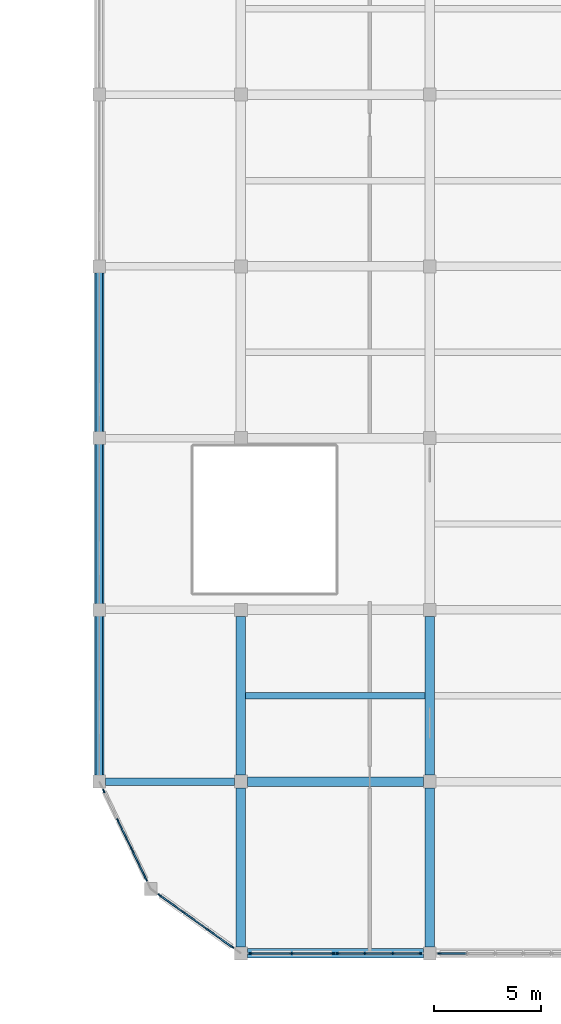
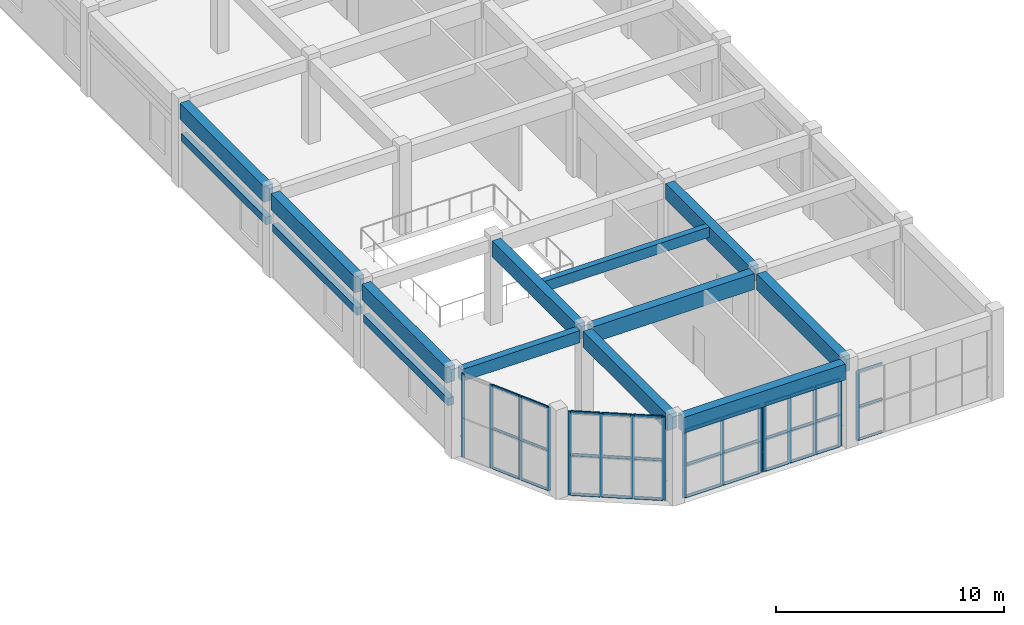
# One storey, part 21 of 64: 49 members, 14 beams, 5 elements without a shape of their own.
"""IFC4 building model written with IfcOpenShell, lengths in metres."""

from ifc_helpers import new_model, si_unit, direction, frame, origin, origin_2d, place, context, subcontext, project, spatial, rectangle, extrude, material, layer, layer_set, material_profile, profile_set, type_object, element, aggregate, save


model = new_model("IFC4")

# Units and contexts
model_context = context("Model", 3, precision=1e-05, world=origin(), true_north=direction((0.0, 1.0)))
body_context = subcontext(model_context, "Body", "Model", "MODEL_VIEW")
ifc_project = project(units=[si_unit("LENGTHUNIT", "METRE"), si_unit("AREAUNIT", "SQUARE_METRE"), si_unit("VOLUMEUNIT", "CUBIC_METRE"), si_unit("PLANEANGLEUNIT", "RADIAN"), si_unit("MASSUNIT", "GRAM", prefix="KILO")], contexts=[model_context])

# Site, building, storey
site_placement = place(None, origin())
site = spatial("IfcSite", under=ifc_project, at=site_placement, CompositionType="ELEMENT")
building_placement = place(site_placement, origin())
building = spatial("IfcBuilding", under=site, at=building_placement, Name="Cinchona Park Media Centre", CompositionType="ELEMENT")
storey_placement = place(building_placement, frame((0.0, 0.0, 5.39990234375)))
storey = spatial("IfcBuildingStorey", under=building, at=storey_placement, Name="L01", CompositionType="ELEMENT", Elevation=5.39990234375)

# Beams
ifc_material_1 = material(Name="Concrete C35/45", Category="concrete")
ifc_material_profile_1 = material_profile(ifc_material_1, rectangle(XDim=0.449951171875, YDim=0.85009765625, at=origin_2d()), Name="RB 450X850")
ifc_profile_set_1 = profile_set([ifc_material_profile_1], Name="Concrete C35/45")
beam_type_1 = type_object("IfcBeamType", Name="BEAM-B02-RB450X850", PredefinedType="BEAM", material=ifc_profile_set_1)
for number, where, z_axis, x_axis, name in (
    (1, (156.10009765625, 7.60009765625, 4.09521484375), (1.0, 0.0, 0.0), (0.0, 1.0, 0.0), "Beam B02 L01"),
    (2, (156.10009765625, 15.60009765625, 4.09521484375), (1.0, 0.0, 0.0), (0.0, 1.0, 0.0), "Beam B02 L01"),
):
    element("IfcBeam", number, at=place(storey_placement, frame(where, z_axis=z_axis, x_axis=x_axis)), inside=storey, type_object=beam_type_1, Name=name, PredefinedType="BEAM", context=body_context, shape_type="SweptSolid", body=[
        extrude(rectangle(XDim=0.449951171875, YDim=0.85009765625, at=origin_2d()), origin(), (0.0, 0.0, 1.0), 8.199951171875),
    ])
for number, where, z_axis, x_axis, name in (
    (3, (149.199951171875, 15.89990234375, 4.09521484375), (0.0, 1.0, 0.0), (-1.0, 0.0, 0.0), "Girder B02 L01"),
    (4, (149.199951171875, 23.89990234375, 4.09521484375), (0.0, 1.0, 0.0), (-1.0, 0.0, 0.0), "Girder B02 L01"),
    (5, (149.199951171875, 31.89990234375, 4.09521484375), (0.0, 1.0, 0.0), (-1.0, 0.0, 0.0), "Girder B02 L01"),
    (6, (155.800048828125, 7.89990234375, 4.09521484375), (0.0, 1.0, 0.0), (-1.0, 0.0, 0.0), "Girder B02 L01"),
    (7, (155.800048828125, 15.89990234375, 4.09521484375), (0.0, 1.0, 0.0), (-1.0, 0.0, 0.0), "Girder B02 L01"),
    (8, (164.60009765625, 7.89990234375, 4.09521484375), (0.0, 1.0, 0.0), (-1.0, 0.0, 0.0), "Girder B02 L01"),
    (9, (164.60009765625, 15.89990234375, 4.09521484375), (0.0, 1.0, 0.0), (-1.0, 0.0, 0.0), "Girder B02 L01"),
):
    element("IfcBeam", number, at=place(storey_placement, frame(where, z_axis=z_axis, x_axis=x_axis)), inside=storey, type_object=beam_type_1, Name=name, PredefinedType="BEAM", context=body_context, shape_type="SweptSolid", body=[
        extrude(rectangle(XDim=0.449951171875, YDim=0.85009765625, at=origin_2d()), origin(), (0.0, 0.0, 1.0), 7.400146484375),
    ])
ifc_material_2 = material(Name="Concrete C35/45", Category="concrete")
ifc_material_profile_2 = material_profile(ifc_material_2, rectangle(XDim=0.35009765625, YDim=0.64990234375, at=origin_2d()), Name="RB 350X650")
ifc_profile_set_2 = profile_set([ifc_material_profile_2], Name="Concrete C35/45")
beam_type_2 = type_object("IfcBeamType", Name="BEAM-B04-RB350X650", PredefinedType="BEAM", material=ifc_profile_set_2)
beam_1_placement = place(storey_placement, frame((149.5, 15.60009765625, 4.195068359375), z_axis=(1.0, 0.0, 0.0), x_axis=(0.0, 1.0, 0.0)))
element("IfcBeam", 10, at=beam_1_placement, inside=storey, type_object=beam_type_2, Name="Beam B04 L01", PredefinedType="BEAM", context=body_context, shape_type="SweptSolid", body=[
    extrude(rectangle(XDim=0.35009765625, YDim=0.64990234375, at=origin_2d()), origin(), (0.0, 0.0, 1.0), 6.0),
])
ifc_material_3 = material(Name="Concrete C35/45", Category="concrete")
ifc_material_profile_3 = material_profile(ifc_material_3, rectangle(XDim=0.300048828125, YDim=0.550048828125, at=origin_2d()), Name="RB 300X550")
ifc_profile_set_3 = profile_set([ifc_material_profile_3], Name="Concrete C35/45")
beam_type_3 = type_object("IfcBeamType", Name="BEAM-J01-RB300X550", PredefinedType="JOIST", material=ifc_profile_set_3)
beam_2_placement = place(storey_placement, frame((156.02490234375, 19.60009765625, 4.2451171875), z_axis=(1.0, 0.0, 0.0), x_axis=(0.0, 1.0, 0.0)))
element("IfcBeam", 11, at=beam_2_placement, inside=storey, type_object=beam_type_3, Name="Floor Joist J01 L01", PredefinedType="JOIST", context=body_context, shape_type="SweptSolid", body=[
    extrude(rectangle(XDim=0.300048828125, YDim=0.550048828125, at=origin_2d()), origin(), (0.0, 0.0, 1.0), 8.35009765625),
])
ifc_material_4 = material(Name="Concrete C35/45", Category="concrete")
ifc_material_profile_4 = material_profile(ifc_material_4, rectangle(XDim=0.300048828125, YDim=0.39990234375, at=origin_2d()), Name="RL 300X400")
ifc_profile_set_4 = profile_set([ifc_material_profile_4], Name="Concrete C35/45")
beam_type_4 = type_object("IfcBeamType", Name="BEAM-LN02-RL300X400", PredefinedType="LINTEL", material=ifc_profile_set_4)
for number, where, z_axis, x_axis, name in (
    (12, (149.199951171875, 15.8798828125, 2.650146484375), (0.0, 1.0, 0.0), (-1.0, 0.0, 0.0), "Window Lintel LN02"),
    (13, (149.199951171875, 23.8798828125, 2.650146484375), (0.0, 1.0, 0.0), (-1.0, 0.0, 0.0), "Window Lintel LN02"),
    (14, (149.199951171875, 31.8798828125, 2.650146484375), (0.0, 1.0, 0.0), (-1.0, 0.0, 0.0), "Window Lintel LN02"),
):
    element("IfcBeam", number, at=place(storey_placement, frame(where, z_axis=z_axis, x_axis=x_axis)), inside=storey, type_object=beam_type_4, Name=name, PredefinedType="LINTEL", context=body_context, shape_type="SweptSolid", body=[
        extrude(rectangle(XDim=0.300048828125, YDim=0.39990234375, at=origin_2d()), origin(), (0.0, 0.0, 1.0), 7.440185546875),
    ])

# Curtain wall, members
ifc_material_5 = material(Name="Aluminium Curtain Wall Framing", Category="aluminium")
ifc_layer_1 = layer(ifc_material_5, 0.27001953125)
ifc_layer_set_1 = layer_set([ifc_layer_1], Name="Aluminium Curtain Wall Framing")
curtain_wall_type_1 = type_object("IfcCurtainWallType", Name="CW-CW07", PredefinedType="USERDEFINED", material=ifc_layer_set_1)
curtain_wall_1_placement = place(storey_placement, origin())
curtain_wall_1 = element("IfcCurtainWall", 15, at=curtain_wall_1_placement, inside=storey, type_object=curtain_wall_type_1, Name="Curtain Wall CW07 L01", ObjectType="UNITISED CURTAIN WALL", PredefinedType="USERDEFINED")
ifc_material_6 = material(Name="Anodised Aluminium Alloy 6063-T6", Category="aluminium")
ifc_material_profile_5 = material_profile(ifc_material_6, rectangle(XDim=0.06494140625, YDim=0.159912109375, at=origin_2d()), Name="MUL-65X160")
ifc_profile_set_5 = profile_set([ifc_material_profile_5], Name="Anodised Aluminium Alloy 6063-T6")
member_type_1 = type_object("IfcMemberType", Name="MULLION-MUL01", PredefinedType="MULLION", material=ifc_profile_set_5)
member_1_placement = place(storey_placement, frame((151.386962890625, 11.044189453125, 0.050048828125), z_axis=(0.0, 0.0, 1.0), x_axis=(-0.901489319825, -0.432801347319, 0.0)))
member_1 = element("IfcMember", 16, at=member_1_placement, type_object=member_type_1, Name="CW07 mullion 1", PredefinedType="MULLION", context=body_context, shape_type="SweptSolid", body=[
    extrude(rectangle(XDim=0.06494140625, YDim=0.159912109375, at=origin_2d()), origin(), (0.0, 0.0, 1.0), 4.469970703125),
])
member_2_placement = place(storey_placement, frame((150.733642578125, 12.405029296875, 0.050048828125), z_axis=(0.0, 0.0, 1.0), x_axis=(-0.901489319825, -0.432801347319, 0.0)))
member_2 = element("IfcMember", 17, at=member_2_placement, type_object=member_type_1, Name="CW07 mullion 2", PredefinedType="MULLION", context=body_context, shape_type="SweptSolid", body=[
    extrude(rectangle(XDim=0.06494140625, YDim=0.159912109375, at=origin_2d()), origin(), (0.0, 0.0, 1.0), 4.469970703125),
])
member_3_placement = place(storey_placement, frame((150.06640625, 13.794921875, 0.050048828125), z_axis=(0.0, 0.0, 1.0), x_axis=(-0.901489319825, -0.432801347319, 0.0)))
member_3 = element("IfcMember", 18, at=member_3_placement, type_object=member_type_1, Name="CW07 mullion 3", PredefinedType="MULLION", context=body_context, shape_type="SweptSolid", body=[
    extrude(rectangle(XDim=0.06494140625, YDim=0.159912109375, at=origin_2d()), origin(), (0.0, 0.0, 1.0), 4.469970703125),
])
member_4_placement = place(storey_placement, frame((149.4130859375, 15.15576171875, 0.050048828125), z_axis=(0.0, 0.0, 1.0), x_axis=(-0.901489319825, -0.432801347319, 0.0)))
member_4 = element("IfcMember", 19, at=member_4_placement, type_object=member_type_1, Name="CW07 mullion 4", PredefinedType="MULLION", context=body_context, shape_type="SweptSolid", body=[
    extrude(rectangle(XDim=0.06494140625, YDim=0.159912109375, at=origin_2d()), origin(), (0.0, 0.0, 1.0), 4.469970703125),
])

# Curtain wall, member
ifc_material_7 = material(Name="Aluminium Curtain Wall Framing", Category="aluminium")
ifc_layer_2 = layer(ifc_material_7, 0.179931640625)
ifc_layer_set_2 = layer_set([ifc_layer_2], Name="Aluminium Curtain Wall Framing")
curtain_wall_type_2 = type_object("IfcCurtainWallType", Name="CW-CW01", PredefinedType="USERDEFINED", material=ifc_layer_set_2)
curtain_wall_2_placement = place(storey_placement, origin())
curtain_wall_2 = element("IfcCurtainWall", 20, at=curtain_wall_2_placement, inside=storey, type_object=curtain_wall_type_2, Name="Curtain Wall CW01 L01", ObjectType="UNITISED CURTAIN WALL", PredefinedType="USERDEFINED")
member_5_placement = place(storey_placement, frame((165.052490234375, 7.60009765625, 0.050048828125), z_axis=(0.0, 0.0, 1.0), x_axis=(0.0, -1.0, 0.0)))
member_5 = element("IfcMember", 21, at=member_5_placement, type_object=member_type_1, Name="CW01 mullion 6", PredefinedType="MULLION", context=body_context, shape_type="SweptSolid", body=[
    extrude(rectangle(XDim=0.06494140625, YDim=0.159912109375, at=origin_2d()), origin(), (0.0, 0.0, 1.0), 3.719970703125),
])

# Curtain wall, members
ifc_material_8 = material(Name="Aluminium Curtain Wall Framing", Category="aluminium")
ifc_layer_3 = layer(ifc_material_8, 0.284912109375)
ifc_layer_set_3 = layer_set([ifc_layer_3], Name="Aluminium Curtain Wall Framing")
curtain_wall_type_3 = type_object("IfcCurtainWallType", Name="CW-CW08", PredefinedType="USERDEFINED", material=ifc_layer_set_3)
curtain_wall_3_placement = place(storey_placement, origin())
curtain_wall_3 = element("IfcCurtainWall", 22, at=curtain_wall_3_placement, inside=storey, type_object=curtain_wall_type_3, Name="Curtain Wall CW08 L01", ObjectType="UNITISED CURTAIN WALL", PredefinedType="USERDEFINED")
ifc_material_9 = material(Name="Anodised Aluminium Alloy 6063-T6", Category="aluminium")
ifc_material_profile_6 = material_profile(ifc_material_9, rectangle(XDim=0.070068359375, YDim=0.179931640625, at=origin_2d()), Name="MUL-70X180")
ifc_profile_set_6 = profile_set([ifc_material_profile_6], Name="Anodised Aluminium Alloy 6063-T6")
member_type_2 = type_object("IfcMemberType", Name="MULLION-MUL02", PredefinedType="MULLION", material=ifc_profile_set_6)
member_6_placement = place(storey_placement, frame((164.14501953125, 7.60009765625, 0.050048828125), z_axis=(0.0, 0.0, 1.0), x_axis=(0.0, -1.0, 0.0)))
member_6 = element("IfcMember", 23, at=member_6_placement, type_object=member_type_2, Name="CW08 mullion 1", PredefinedType="MULLION", context=body_context, shape_type="SweptSolid", body=[
    extrude(rectangle(XDim=0.070068359375, YDim=0.179931640625, at=origin_2d()), origin(), (0.0, 0.0, 1.0), 3.6201171875),
])
member_7_placement = place(storey_placement, frame((162.8798828125, 7.60009765625, 0.050048828125), z_axis=(0.0, 0.0, 1.0), x_axis=(0.0, -1.0, 0.0)))
member_7 = element("IfcMember", 24, at=member_7_placement, type_object=member_type_2, Name="CW08 mullion 2", PredefinedType="MULLION", context=body_context, shape_type="SweptSolid", body=[
    extrude(rectangle(XDim=0.070068359375, YDim=0.179931640625, at=origin_2d()), origin(), (0.0, 0.0, 1.0), 3.6201171875),
])
member_8_placement = place(storey_placement, frame((161.580078125, 7.60009765625, 0.050048828125), z_axis=(0.0, 0.0, 1.0), x_axis=(0.0, -1.0, 0.0)))
member_8 = element("IfcMember", 25, at=member_8_placement, type_object=member_type_2, Name="CW08 mullion 3", PredefinedType="MULLION", context=body_context, shape_type="SweptSolid", body=[
    extrude(rectangle(XDim=0.070068359375, YDim=0.179931640625, at=origin_2d()), origin(), (0.0, 0.0, 1.0), 3.6201171875),
])
member_9_placement = place(storey_placement, frame((160.31494140625, 7.60009765625, 0.050048828125), z_axis=(0.0, 0.0, 1.0), x_axis=(0.0, -1.0, 0.0)))
member_9 = element("IfcMember", 26, at=member_9_placement, type_object=member_type_2, Name="CW08 mullion 4", PredefinedType="MULLION", context=body_context, shape_type="SweptSolid", body=[
    extrude(rectangle(XDim=0.070068359375, YDim=0.179931640625, at=origin_2d()), origin(), (0.0, 0.0, 1.0), 3.6201171875),
])

ifc_material_10 = material(Name="Aluminium Curtain Wall Framing", Category="aluminium")
ifc_layer_4 = layer(ifc_material_10, 0.300048828125)
ifc_layer_set_4 = layer_set([ifc_layer_4], Name="Aluminium Curtain Wall Framing")
curtain_wall_type_4 = type_object("IfcCurtainWallType", Name="CW-CW09", PredefinedType="USERDEFINED", material=ifc_layer_set_4)
curtain_wall_4_placement = place(storey_placement, origin())
curtain_wall_4 = element("IfcCurtainWall", 27, at=curtain_wall_4_placement, inside=storey, type_object=curtain_wall_type_4, Name="Curtain Wall CW09 L01", ObjectType="UNITISED CURTAIN WALL", PredefinedType="USERDEFINED")
member_10_placement = place(storey_placement, frame((160.0849609375, 7.60009765625, 0.050048828125), z_axis=(0.0, 0.0, 1.0), x_axis=(0.0, -1.0, 0.0)))
member_10 = element("IfcMember", 28, at=member_10_placement, type_object=member_type_2, Name="CW09 mullion 1", PredefinedType="MULLION", context=body_context, shape_type="SweptSolid", body=[
    extrude(rectangle(XDim=0.070068359375, YDim=0.179931640625, at=origin_2d()), origin(), (0.0, 0.0, 1.0), 3.6201171875),
])
member_11_placement = place(storey_placement, frame((158.169921875, 7.60009765625, 0.050048828125), z_axis=(0.0, 0.0, 1.0), x_axis=(0.0, -1.0, 0.0)))
member_11 = element("IfcMember", 29, at=member_11_placement, type_object=member_type_2, Name="CW09 mullion 2", PredefinedType="MULLION", context=body_context, shape_type="SweptSolid", body=[
    extrude(rectangle(XDim=0.070068359375, YDim=0.179931640625, at=origin_2d()), origin(), (0.0, 0.0, 1.0), 3.6201171875),
])
member_12_placement = place(storey_placement, frame((156.2548828125, 7.60009765625, 0.050048828125), z_axis=(0.0, 0.0, 1.0), x_axis=(0.0, -1.0, 0.0)))
member_12 = element("IfcMember", 30, at=member_12_placement, type_object=member_type_2, Name="CW09 mullion 3", PredefinedType="MULLION", context=body_context, shape_type="SweptSolid", body=[
    extrude(rectangle(XDim=0.070068359375, YDim=0.179931640625, at=origin_2d()), origin(), (0.0, 0.0, 1.0), 3.6201171875),
])

ifc_material_11 = material(Name="Aluminium Curtain Wall Framing", Category="aluminium")
ifc_layer_5 = layer(ifc_material_11, 0.195068359375)
ifc_layer_set_5 = layer_set([ifc_layer_5], Name="Aluminium Curtain Wall Framing")
curtain_wall_type_5 = type_object("IfcCurtainWallType", Name="CW-CW02", PredefinedType="USERDEFINED", material=ifc_layer_set_5)
curtain_wall_5_placement = place(storey_placement, origin())
curtain_wall_5 = element("IfcCurtainWall", 31, at=curtain_wall_5_placement, inside=storey, type_object=curtain_wall_type_5, Name="Curtain Wall CW02 L01", ObjectType="UNITISED CURTAIN WALL", PredefinedType="USERDEFINED")
member_13_placement = place(storey_placement, frame((155.381591796875, 7.8984375, 0.050048828125), z_axis=(0.0, 0.0, 1.0), x_axis=(-0.581418209016, -0.813604858776, 0.0)))
member_13 = element("IfcMember", 32, at=member_13_placement, type_object=member_type_2, Name="CW02 mullion 1", PredefinedType="MULLION", context=body_context, shape_type="SweptSolid", body=[
    extrude(rectangle(XDim=0.070068359375, YDim=0.179931640625, at=origin_2d()), origin(), (0.0, 0.0, 1.0), 4.469970703125),
])
member_14_placement = place(storey_placement, frame((154.27001953125, 8.692626953125, 0.050048828125), z_axis=(0.0, 0.0, 1.0), x_axis=(-0.581418209016, -0.813604858776, 0.0)))
member_14 = element("IfcMember", 33, at=member_14_placement, type_object=member_type_2, Name="CW02 mullion 2", PredefinedType="MULLION", context=body_context, shape_type="SweptSolid", body=[
    extrude(rectangle(XDim=0.070068359375, YDim=0.179931640625, at=origin_2d()), origin(), (0.0, 0.0, 1.0), 4.469970703125),
])
member_15_placement = place(storey_placement, frame((153.1298828125, 9.50732421875, 0.050048828125), z_axis=(0.0, 0.0, 1.0), x_axis=(-0.581418209016, -0.813604858776, 0.0)))
member_15 = element("IfcMember", 34, at=member_15_placement, type_object=member_type_2, Name="CW02 mullion 3", PredefinedType="MULLION", context=body_context, shape_type="SweptSolid", body=[
    extrude(rectangle(XDim=0.070068359375, YDim=0.179931640625, at=origin_2d()), origin(), (0.0, 0.0, 1.0), 4.469970703125),
])
member_16_placement = place(storey_placement, frame((152.0185546875, 10.3017578125, 0.050048828125), z_axis=(0.0, 0.0, 1.0), x_axis=(-0.581418209016, -0.813604858776, 0.0)))
member_16 = element("IfcMember", 35, at=member_16_placement, type_object=member_type_2, Name="CW02 mullion 4", PredefinedType="MULLION", context=body_context, shape_type="SweptSolid", body=[
    extrude(rectangle(XDim=0.070068359375, YDim=0.179931640625, at=origin_2d()), origin(), (0.0, 0.0, 1.0), 4.469970703125),
])

# Member
ifc_material_12 = material(Name="Anodised Aluminium Alloy 6063-T6", Category="aluminium")
ifc_material_profile_7 = material_profile(ifc_material_12, rectangle(XDim=0.06494140625, YDim=0.1201171875, at=origin_2d()), Name="TRN-65X120")
ifc_profile_set_7 = profile_set([ifc_material_profile_7], Name="Anodised Aluminium Alloy 6063-T6")
member_type_3 = type_object("IfcMemberType", Name="TRANSOM-TRN01", PredefinedType="USERDEFINED", material=ifc_profile_set_7)
member_17_placement = place(storey_placement, frame((151.372802734375, 11.073486328125, 0.08251953125), z_axis=(-0.432687109098, 0.901544156223, 0.0), x_axis=(-0.901544156223, -0.432687109098, 0.0)))
member_17 = element("IfcMember", 36, at=member_17_placement, type_object=member_type_3, Name="CW07 transom 1.1", ObjectType="TRANSOM", PredefinedType="USERDEFINED", context=body_context, shape_type="SweptSolid", body=[
    extrude(rectangle(XDim=0.06494140625, YDim=0.1201171875, at=origin_2d()), origin(), (0.0, 0.0, 1.0), 1.444580078125),
])

member_18_placement = place(storey_placement, frame((151.372802734375, 11.073486328125, 2.196044921875), z_axis=(-0.432687109098, 0.901544156223, 0.0), x_axis=(-0.901544156223, -0.432687109098, 0.0)))
member_18 = element("IfcMember", 37, at=member_18_placement, type_object=member_type_3, Name="CW07 transom 1.2", ObjectType="TRANSOM", PredefinedType="USERDEFINED", context=body_context, shape_type="SweptSolid", body=[
    extrude(rectangle(XDim=0.06494140625, YDim=0.1201171875, at=origin_2d()), origin(), (0.0, 0.0, 1.0), 1.444580078125),
])

member_19_placement = place(storey_placement, frame((151.372802734375, 11.073486328125, 4.487548828125), z_axis=(-0.432687109098, 0.901544156223, 0.0), x_axis=(-0.901544156223, -0.432687109098, 0.0)))
member_19 = element("IfcMember", 38, at=member_19_placement, type_object=member_type_3, Name="CW07 transom 1.3", ObjectType="TRANSOM", PredefinedType="USERDEFINED", context=body_context, shape_type="SweptSolid", body=[
    extrude(rectangle(XDim=0.06494140625, YDim=0.1201171875, at=origin_2d()), origin(), (0.0, 0.0, 1.0), 1.444580078125),
])

member_20_placement = place(storey_placement, frame((150.719482421875, 12.434326171875, 0.08251953125), z_axis=(-0.432806308998, 0.901486937726, 0.0), x_axis=(-0.901486937726, -0.432806308998, 0.0)))
member_20 = element("IfcMember", 39, at=member_20_placement, type_object=member_type_3, Name="CW07 transom 2.1", ObjectType="TRANSOM", PredefinedType="USERDEFINED", context=body_context, shape_type="SweptSolid", body=[
    extrude(rectangle(XDim=0.06494140625, YDim=0.1201171875, at=origin_2d()), origin(), (0.0, 0.0, 1.0), 1.476806640625),
])

member_21_placement = place(storey_placement, frame((150.719482421875, 12.434326171875, 2.196044921875), z_axis=(-0.432806308998, 0.901486937726, 0.0), x_axis=(-0.901486937726, -0.432806308998, 0.0)))
member_21 = element("IfcMember", 40, at=member_21_placement, type_object=member_type_3, Name="CW07 transom 2.2", ObjectType="TRANSOM", PredefinedType="USERDEFINED", context=body_context, shape_type="SweptSolid", body=[
    extrude(rectangle(XDim=0.06494140625, YDim=0.1201171875, at=origin_2d()), origin(), (0.0, 0.0, 1.0), 1.476806640625),
])

member_22_placement = place(storey_placement, frame((150.719482421875, 12.434326171875, 4.487548828125), z_axis=(-0.432806308998, 0.901486937726, 0.0), x_axis=(-0.901486937726, -0.432806308998, 0.0)))
member_22 = element("IfcMember", 41, at=member_22_placement, type_object=member_type_3, Name="CW07 transom 2.3", ObjectType="TRANSOM", PredefinedType="USERDEFINED", context=body_context, shape_type="SweptSolid", body=[
    extrude(rectangle(XDim=0.06494140625, YDim=0.1201171875, at=origin_2d()), origin(), (0.0, 0.0, 1.0), 1.476806640625),
])

aggregate(curtain_wall_1, [member_1, member_2, member_3, member_4, member_17, member_18, member_19, member_20, member_21, member_22])

member_23_placement = place(storey_placement, frame((166.299560546875, 7.60009765625, 0.08251953125), z_axis=(-1.0, 0.0, 0.0), x_axis=(0.0, -1.0, 0.0)))
member_23 = element("IfcMember", 42, at=member_23_placement, type_object=member_type_3, Name="CW01 transom 5.1", ObjectType="TRANSOM", PredefinedType="USERDEFINED", context=body_context, shape_type="SweptSolid", body=[
    extrude(rectangle(XDim=0.06494140625, YDim=0.1201171875, at=origin_2d()), origin(), (0.0, 0.0, 1.0), 1.214599609375),
])

member_24_placement = place(storey_placement, frame((166.299560546875, 7.60009765625, 1.836181640625), z_axis=(-1.0, 0.0, 0.0), x_axis=(0.0, -1.0, 0.0)))
member_24 = element("IfcMember", 43, at=member_24_placement, type_object=member_type_3, Name="CW01 transom 5.2", ObjectType="TRANSOM", PredefinedType="USERDEFINED", context=body_context, shape_type="SweptSolid", body=[
    extrude(rectangle(XDim=0.06494140625, YDim=0.1201171875, at=origin_2d()), origin(), (0.0, 0.0, 1.0), 1.214599609375),
])

member_25_placement = place(storey_placement, frame((166.299560546875, 7.60009765625, 3.737548828125), z_axis=(-1.0, 0.0, 0.0), x_axis=(0.0, -1.0, 0.0)))
member_25 = element("IfcMember", 44, at=member_25_placement, type_object=member_type_3, Name="CW01 transom 5.3", ObjectType="TRANSOM", PredefinedType="USERDEFINED", context=body_context, shape_type="SweptSolid", body=[
    extrude(rectangle(XDim=0.06494140625, YDim=0.1201171875, at=origin_2d()), origin(), (0.0, 0.0, 1.0), 1.214599609375),
])

aggregate(curtain_wall_2, [member_5, member_23, member_24, member_25])

ifc_material_13 = material(Name="Anodised Aluminium Alloy 6063-T6", Category="aluminium")
ifc_material_profile_8 = material_profile(ifc_material_13, rectangle(XDim=0.070068359375, YDim=0.139892578125, at=origin_2d()), Name="TRN-70X140")
ifc_profile_set_8 = profile_set([ifc_material_profile_8], Name="Anodised Aluminium Alloy 6063-T6")
member_type_4 = type_object("IfcMemberType", Name="TRANSOM-TRN02", PredefinedType="USERDEFINED", material=ifc_profile_set_8)
member_26_placement = place(storey_placement, frame((164.110107421875, 7.60009765625, 0.085205078125), z_axis=(-1.0, 0.0, 0.0), x_axis=(0.0, -1.0, 0.0)))
member_26 = element("IfcMember", 45, at=member_26_placement, type_object=member_type_4, Name="CW08 transom 1.1", ObjectType="TRANSOM", PredefinedType="USERDEFINED", context=body_context, shape_type="SweptSolid", body=[
    extrude(rectangle(XDim=0.070068359375, YDim=0.139892578125, at=origin_2d()), origin(), (0.0, 0.0, 1.0), 1.195068359375),
])

member_27_placement = place(storey_placement, frame((164.110107421875, 7.60009765625, 1.7880859375), z_axis=(-1.0, 0.0, 0.0), x_axis=(0.0, -1.0, 0.0)))
member_27 = element("IfcMember", 46, at=member_27_placement, type_object=member_type_4, Name="CW08 transom 1.2", ObjectType="TRANSOM", PredefinedType="USERDEFINED", context=body_context, shape_type="SweptSolid", body=[
    extrude(rectangle(XDim=0.070068359375, YDim=0.139892578125, at=origin_2d()), origin(), (0.0, 0.0, 1.0), 1.195068359375),
])

member_28_placement = place(storey_placement, frame((164.110107421875, 7.60009765625, 3.635009765625), z_axis=(-1.0, 0.0, 0.0), x_axis=(0.0, -1.0, 0.0)))
member_28 = element("IfcMember", 47, at=member_28_placement, type_object=member_type_4, Name="CW08 transom 1.3", ObjectType="TRANSOM", PredefinedType="USERDEFINED", context=body_context, shape_type="SweptSolid", body=[
    extrude(rectangle(XDim=0.070068359375, YDim=0.139892578125, at=origin_2d()), origin(), (0.0, 0.0, 1.0), 1.195068359375),
])

member_29_placement = place(storey_placement, frame((162.844970703125, 7.60009765625, 0.085205078125), z_axis=(-1.0, 0.0, 0.0), x_axis=(0.0, -1.0, 0.0)))
member_29 = element("IfcMember", 48, at=member_29_placement, type_object=member_type_4, Name="CW08 transom 2.1", ObjectType="TRANSOM", PredefinedType="USERDEFINED", context=body_context, shape_type="SweptSolid", body=[
    extrude(rectangle(XDim=0.070068359375, YDim=0.139892578125, at=origin_2d()), origin(), (0.0, 0.0, 1.0), 1.22998046875),
])

member_30_placement = place(storey_placement, frame((162.844970703125, 7.60009765625, 1.7880859375), z_axis=(-1.0, 0.0, 0.0), x_axis=(0.0, -1.0, 0.0)))
member_30 = element("IfcMember", 49, at=member_30_placement, type_object=member_type_4, Name="CW08 transom 2.2", ObjectType="TRANSOM", PredefinedType="USERDEFINED", context=body_context, shape_type="SweptSolid", body=[
    extrude(rectangle(XDim=0.070068359375, YDim=0.139892578125, at=origin_2d()), origin(), (0.0, 0.0, 1.0), 1.22998046875),
])

member_31_placement = place(storey_placement, frame((162.844970703125, 7.60009765625, 3.635009765625), z_axis=(-1.0, 0.0, 0.0), x_axis=(0.0, -1.0, 0.0)))
member_31 = element("IfcMember", 50, at=member_31_placement, type_object=member_type_4, Name="CW08 transom 2.3", ObjectType="TRANSOM", PredefinedType="USERDEFINED", context=body_context, shape_type="SweptSolid", body=[
    extrude(rectangle(XDim=0.070068359375, YDim=0.139892578125, at=origin_2d()), origin(), (0.0, 0.0, 1.0), 1.22998046875),
])

member_32_placement = place(storey_placement, frame((161.544921875, 7.60009765625, 0.085205078125), z_axis=(-1.0, 0.0, 0.0), x_axis=(0.0, -1.0, 0.0)))
member_32 = element("IfcMember", 51, at=member_32_placement, type_object=member_type_4, Name="CW08 transom 3.1", ObjectType="TRANSOM", PredefinedType="USERDEFINED", context=body_context, shape_type="SweptSolid", body=[
    extrude(rectangle(XDim=0.070068359375, YDim=0.139892578125, at=origin_2d()), origin(), (0.0, 0.0, 1.0), 1.19482421875),
])

member_33_placement = place(storey_placement, frame((161.544921875, 7.60009765625, 1.7880859375), z_axis=(-1.0, 0.0, 0.0), x_axis=(0.0, -1.0, 0.0)))
member_33 = element("IfcMember", 52, at=member_33_placement, type_object=member_type_4, Name="CW08 transom 3.2", ObjectType="TRANSOM", PredefinedType="USERDEFINED", context=body_context, shape_type="SweptSolid", body=[
    extrude(rectangle(XDim=0.070068359375, YDim=0.139892578125, at=origin_2d()), origin(), (0.0, 0.0, 1.0), 1.19482421875),
])

member_34_placement = place(storey_placement, frame((161.544921875, 7.60009765625, 3.635009765625), z_axis=(-1.0, 0.0, 0.0), x_axis=(0.0, -1.0, 0.0)))
member_34 = element("IfcMember", 53, at=member_34_placement, type_object=member_type_4, Name="CW08 transom 3.3", ObjectType="TRANSOM", PredefinedType="USERDEFINED", context=body_context, shape_type="SweptSolid", body=[
    extrude(rectangle(XDim=0.070068359375, YDim=0.139892578125, at=origin_2d()), origin(), (0.0, 0.0, 1.0), 1.19482421875),
])

aggregate(curtain_wall_3, [member_6, member_7, member_8, member_9, member_26, member_27, member_28, member_29, member_30, member_31, member_32, member_33, member_34])

member_35_placement = place(storey_placement, frame((160.050048828125, 7.60009765625, 0.085205078125), z_axis=(-1.0, 0.0, 0.0), x_axis=(0.0, -1.0, 0.0)))
member_35 = element("IfcMember", 54, at=member_35_placement, type_object=member_type_4, Name="CW09 transom 1.1", ObjectType="TRANSOM", PredefinedType="USERDEFINED", context=body_context, shape_type="SweptSolid", body=[
    extrude(rectangle(XDim=0.070068359375, YDim=0.139892578125, at=origin_2d()), origin(), (0.0, 0.0, 1.0), 1.844970703125),
])

member_36_placement = place(storey_placement, frame((160.050048828125, 7.60009765625, 1.7880859375), z_axis=(-1.0, 0.0, 0.0), x_axis=(0.0, -1.0, 0.0)))
member_36 = element("IfcMember", 55, at=member_36_placement, type_object=member_type_4, Name="CW09 transom 1.2", ObjectType="TRANSOM", PredefinedType="USERDEFINED", context=body_context, shape_type="SweptSolid", body=[
    extrude(rectangle(XDim=0.070068359375, YDim=0.139892578125, at=origin_2d()), origin(), (0.0, 0.0, 1.0), 1.844970703125),
])

member_37_placement = place(storey_placement, frame((160.050048828125, 7.60009765625, 3.635009765625), z_axis=(-1.0, 0.0, 0.0), x_axis=(0.0, -1.0, 0.0)))
member_37 = element("IfcMember", 56, at=member_37_placement, type_object=member_type_4, Name="CW09 transom 1.3", ObjectType="TRANSOM", PredefinedType="USERDEFINED", context=body_context, shape_type="SweptSolid", body=[
    extrude(rectangle(XDim=0.070068359375, YDim=0.139892578125, at=origin_2d()), origin(), (0.0, 0.0, 1.0), 1.844970703125),
])

member_38_placement = place(storey_placement, frame((158.135009765625, 7.60009765625, 0.085205078125), z_axis=(-1.0, 0.0, 0.0), x_axis=(0.0, -1.0, 0.0)))
member_38 = element("IfcMember", 57, at=member_38_placement, type_object=member_type_4, Name="CW09 transom 2.1", ObjectType="TRANSOM", PredefinedType="USERDEFINED", context=body_context, shape_type="SweptSolid", body=[
    extrude(rectangle(XDim=0.070068359375, YDim=0.139892578125, at=origin_2d()), origin(), (0.0, 0.0, 1.0), 1.844970703125),
])

member_39_placement = place(storey_placement, frame((158.135009765625, 7.60009765625, 1.7880859375), z_axis=(-1.0, 0.0, 0.0), x_axis=(0.0, -1.0, 0.0)))
member_39 = element("IfcMember", 58, at=member_39_placement, type_object=member_type_4, Name="CW09 transom 2.2", ObjectType="TRANSOM", PredefinedType="USERDEFINED", context=body_context, shape_type="SweptSolid", body=[
    extrude(rectangle(XDim=0.070068359375, YDim=0.139892578125, at=origin_2d()), origin(), (0.0, 0.0, 1.0), 1.844970703125),
])

member_40_placement = place(storey_placement, frame((158.135009765625, 7.60009765625, 3.635009765625), z_axis=(-1.0, 0.0, 0.0), x_axis=(0.0, -1.0, 0.0)))
member_40 = element("IfcMember", 59, at=member_40_placement, type_object=member_type_4, Name="CW09 transom 2.3", ObjectType="TRANSOM", PredefinedType="USERDEFINED", context=body_context, shape_type="SweptSolid", body=[
    extrude(rectangle(XDim=0.070068359375, YDim=0.139892578125, at=origin_2d()), origin(), (0.0, 0.0, 1.0), 1.844970703125),
])

aggregate(curtain_wall_4, [member_10, member_11, member_12, member_35, member_36, member_37, member_38, member_39, member_40])

member_41_placement = place(storey_placement, frame((155.35302734375, 7.918701171875, 0.085205078125), z_axis=(-0.813555248369, 0.581487624847, 0.0), x_axis=(-0.581487624847, -0.813555248369, 0.0)))
member_41 = element("IfcMember", 60, at=member_41_placement, type_object=member_type_4, Name="CW02 transom 1.1", ObjectType="TRANSOM", PredefinedType="USERDEFINED", context=body_context, shape_type="SweptSolid", body=[
    extrude(rectangle(XDim=0.070068359375, YDim=0.139892578125, at=origin_2d()), origin(), (0.0, 0.0, 1.0), 1.296142578125),
])

member_42_placement = place(storey_placement, frame((155.35302734375, 7.918701171875, 2.196044921875), z_axis=(-0.813555248369, 0.581487624847, 0.0), x_axis=(-0.581487624847, -0.813555248369, 0.0)))
member_42 = element("IfcMember", 61, at=member_42_placement, type_object=member_type_4, Name="CW02 transom 1.2", ObjectType="TRANSOM", PredefinedType="USERDEFINED", context=body_context, shape_type="SweptSolid", body=[
    extrude(rectangle(XDim=0.070068359375, YDim=0.139892578125, at=origin_2d()), origin(), (0.0, 0.0, 1.0), 1.296142578125),
])

member_43_placement = place(storey_placement, frame((155.35302734375, 7.918701171875, 4.485107421875), z_axis=(-0.813555248369, 0.581487624847, 0.0), x_axis=(-0.581487624847, -0.813555248369, 0.0)))
member_43 = element("IfcMember", 62, at=member_43_placement, type_object=member_type_4, Name="CW02 transom 1.3", ObjectType="TRANSOM", PredefinedType="USERDEFINED", context=body_context, shape_type="SweptSolid", body=[
    extrude(rectangle(XDim=0.070068359375, YDim=0.139892578125, at=origin_2d()), origin(), (0.0, 0.0, 1.0), 1.296142578125),
])

member_44_placement = place(storey_placement, frame((154.241455078125, 8.713134765625, 0.085205078125), z_axis=(-0.813609526614, 0.581411677044, 0.0), x_axis=(-0.581411677044, -0.813609526614, 0.0)))
member_44 = element("IfcMember", 63, at=member_44_placement, type_object=member_type_4, Name="CW02 transom 2.1", ObjectType="TRANSOM", PredefinedType="USERDEFINED", context=body_context, shape_type="SweptSolid", body=[
    extrude(rectangle(XDim=0.070068359375, YDim=0.139892578125, at=origin_2d()), origin(), (0.0, 0.0, 1.0), 1.3310546875),
])

member_45_placement = place(storey_placement, frame((154.241455078125, 8.713134765625, 2.196044921875), z_axis=(-0.813609526614, 0.581411677044, 0.0), x_axis=(-0.581411677044, -0.813609526614, 0.0)))
member_45 = element("IfcMember", 64, at=member_45_placement, type_object=member_type_4, Name="CW02 transom 2.2", ObjectType="TRANSOM", PredefinedType="USERDEFINED", context=body_context, shape_type="SweptSolid", body=[
    extrude(rectangle(XDim=0.070068359375, YDim=0.139892578125, at=origin_2d()), origin(), (0.0, 0.0, 1.0), 1.3310546875),
])

member_46_placement = place(storey_placement, frame((154.241455078125, 8.713134765625, 4.485107421875), z_axis=(-0.813609526614, 0.581411677044, 0.0), x_axis=(-0.581411677044, -0.813609526614, 0.0)))
member_46 = element("IfcMember", 65, at=member_46_placement, type_object=member_type_4, Name="CW02 transom 2.3", ObjectType="TRANSOM", PredefinedType="USERDEFINED", context=body_context, shape_type="SweptSolid", body=[
    extrude(rectangle(XDim=0.070068359375, YDim=0.139892578125, at=origin_2d()), origin(), (0.0, 0.0, 1.0), 1.3310546875),
])

member_47_placement = place(storey_placement, frame((153.1015625, 9.527587890625, 0.085205078125), z_axis=(-0.813618925718, 0.581398524003, 0.0), x_axis=(-0.581398524003, -0.813618925718, 0.0)))
member_47 = element("IfcMember", 66, at=member_47_placement, type_object=member_type_4, Name="CW02 transom 3.1", ObjectType="TRANSOM", PredefinedType="USERDEFINED", context=body_context, shape_type="SweptSolid", body=[
    extrude(rectangle(XDim=0.070068359375, YDim=0.139892578125, at=origin_2d()), origin(), (0.0, 0.0, 1.0), 1.29638671875),
])

member_48_placement = place(storey_placement, frame((153.1015625, 9.527587890625, 2.196044921875), z_axis=(-0.813618925718, 0.581398524003, 0.0), x_axis=(-0.581398524003, -0.813618925718, 0.0)))
member_48 = element("IfcMember", 67, at=member_48_placement, type_object=member_type_4, Name="CW02 transom 3.2", ObjectType="TRANSOM", PredefinedType="USERDEFINED", context=body_context, shape_type="SweptSolid", body=[
    extrude(rectangle(XDim=0.070068359375, YDim=0.139892578125, at=origin_2d()), origin(), (0.0, 0.0, 1.0), 1.29638671875),
])

member_49_placement = place(storey_placement, frame((153.1015625, 9.527587890625, 4.485107421875), z_axis=(-0.813618925718, 0.581398524003, 0.0), x_axis=(-0.581398524003, -0.813618925718, 0.0)))
member_49 = element("IfcMember", 68, at=member_49_placement, type_object=member_type_4, Name="CW02 transom 3.3", ObjectType="TRANSOM", PredefinedType="USERDEFINED", context=body_context, shape_type="SweptSolid", body=[
    extrude(rectangle(XDim=0.070068359375, YDim=0.139892578125, at=origin_2d()), origin(), (0.0, 0.0, 1.0), 1.29638671875),
])

aggregate(curtain_wall_5, [member_13, member_14, member_15, member_16, member_41, member_42, member_43, member_44, member_45, member_46, member_47, member_48, member_49])

save(model, "model.ifc")
